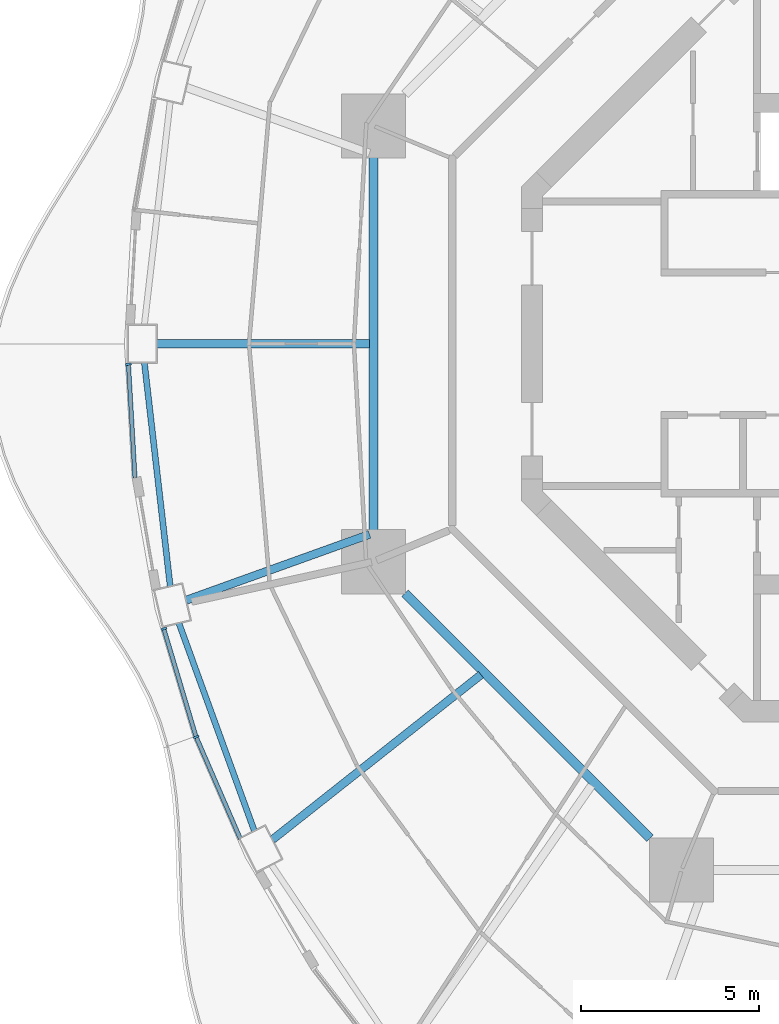
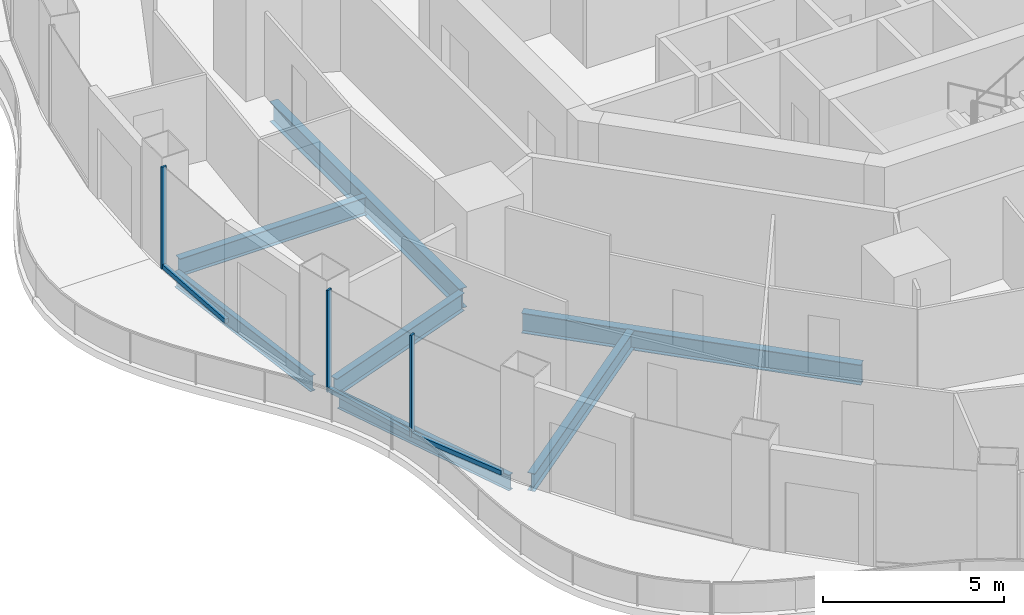
# One storey, part 3 of 19: 7 beams, 6 members, 3 elements without a shape of their own.
"""IFC4 building model written with IfcOpenShell, lengths in metres."""

from ifc_helpers import new_model, si_unit, direction, frame, origin, origin_2d, place, context, subcontext, project, spatial, rectangle, i_section, extrude, material, layer, layer_set, material_profile, profile_set, type_object, element, aggregate, save


model = new_model("IFC4")

# Units and contexts
model_context = context("Model", 3, precision=1e-05, world=origin(), true_north=direction((0.0, 1.0)))
body_context = subcontext(model_context, "Body", "Model", "MODEL_VIEW")
ifc_project = project(units=[si_unit("LENGTHUNIT", "METRE"), si_unit("AREAUNIT", "SQUARE_METRE"), si_unit("VOLUMEUNIT", "CUBIC_METRE"), si_unit("PLANEANGLEUNIT", "RADIAN"), si_unit("MASSUNIT", "GRAM", prefix="KILO")], contexts=[model_context])

# Site, building, storey
site_placement = place(None, origin())
site = spatial("IfcSite", under=ifc_project, at=site_placement, CompositionType="ELEMENT")
building_placement = place(site_placement, origin())
building = spatial("IfcBuilding", under=site, at=building_placement, Name="Nagisa Residences", CompositionType="ELEMENT")
storey_placement = place(building_placement, frame((0.0, 0.0, 195.5)))
storey = spatial("IfcBuildingStorey", under=building, at=storey_placement, Name="L49", CompositionType="ELEMENT", Elevation=195.5)

# Curtain wall, member
ifc_material_1 = material(Name="Concrete-coloured aluminium curtain wall system", Category="concrete")
ifc_layer = layer(ifc_material_1, 0.159912109375)
ifc_layer_set = layer_set([ifc_layer], Name="CW1 CURTAIN WALL")
curtain_wall_type = type_object("IfcCurtainWallType", Name="CW1 CURTAIN WALL", PredefinedType="NOTDEFINED", material=ifc_layer_set)
curtain_wall_1_placement = place(storey_placement, origin())
curtain_wall_1 = element("IfcCurtainWall", 1, at=curtain_wall_1_placement, inside=storey, type_object=curtain_wall_type, Name="cw:CW1:L49:24", PredefinedType="NOTDEFINED")
ifc_material_2 = material(Name="Concrete-coloured aluminium", Category="concrete")
ifc_material_profile_1 = material_profile(ifc_material_2, rectangle(XDim=0.159912109375, YDim=0.06005859375, at=origin_2d()), Name="CW1 MULLION 160x60")
ifc_profile_set_1 = profile_set([ifc_material_profile_1], Name="Concrete-coloured aluminium")
member_type_1 = type_object("IfcMemberType", Name="CW1 MULLION 160x60", PredefinedType="MULLION", material=ifc_profile_set_1)
member_1_placement = place(storey_placement, frame((-21.661865234375, -0.574462890625, 0.0), z_axis=(0.0, 0.0, 1.0), x_axis=(0.998345305184, 0.057503492216, 0.0)))
member_1 = element("IfcMember", 2, at=member_1_placement, type_object=member_type_1, Name="CW1 mullion", PredefinedType="MULLION", context=body_context, shape_type="SweptSolid", body=[
    extrude(rectangle(XDim=0.159912109375, YDim=0.06005859375, at=origin_2d()), origin(), (0.0, 0.0, 1.0), 3.43994140625),
])

curtain_wall_2_placement = place(storey_placement, origin())
curtain_wall_2 = element("IfcCurtainWall", 3, at=curtain_wall_2_placement, inside=storey, type_object=curtain_wall_type, Name="cw:CW1:L49:26", PredefinedType="NOTDEFINED")
member_2_placement = place(storey_placement, frame((-20.66796875, -8.00634765625, 0.0), z_axis=(0.0, 0.0, 1.0), x_axis=(0.958271310082, 0.285860274038, 0.0)))
member_2 = element("IfcMember", 4, at=member_2_placement, type_object=member_type_1, Name="CW1 mullion", PredefinedType="MULLION", context=body_context, shape_type="SweptSolid", body=[
    extrude(rectangle(XDim=0.159912109375, YDim=0.06005859375, at=origin_2d()), origin(), (0.0, 0.0, 1.0), 3.43994140625),
])

curtain_wall_3_placement = place(storey_placement, origin())
curtain_wall_3 = element("IfcCurtainWall", 5, at=curtain_wall_3_placement, inside=storey, type_object=curtain_wall_type, Name="cw:CW1:L49:27", PredefinedType="NOTDEFINED")
member_3_placement = place(storey_placement, frame((-19.758056640625, -11.045654296875, 0.0), z_axis=(0.0, 0.0, 1.0), x_axis=(0.917543276295, 0.397635934147, 0.0)))
member_3 = element("IfcMember", 6, at=member_3_placement, type_object=member_type_1, Name="CW1 mullion", PredefinedType="MULLION", context=body_context, shape_type="SweptSolid", body=[
    extrude(rectangle(XDim=0.159912109375, YDim=0.06005859375, at=origin_2d()), origin(), (0.0, 0.0, 1.0), 3.43994140625),
])

# Member
ifc_material_3 = material(Name="Concrete-coloured aluminium", Category="concrete")
ifc_material_profile_2 = material_profile(ifc_material_3, rectangle(XDim=0.1201171875, YDim=0.14990234375, at=origin_2d()), Name="CW1 TRANSOM 120x150")
ifc_profile_set_2 = profile_set([ifc_material_profile_2], Name="Concrete-coloured aluminium")
member_type_2 = type_object("IfcMemberType", Name="CW1 TRANSOM 120x150", PredefinedType="USERDEFINED", material=ifc_profile_set_2)
member_4_placement = place(storey_placement, frame((-21.66357421875, -0.54443359375, 0.074951171875), z_axis=(0.057528345118, -0.998343873376, 0.0), x_axis=(0.998343873376, 0.057528345118, 0.0)))
member_4 = element("IfcMember", 7, at=member_4_placement, type_object=member_type_2, Name="CW1 transom", ObjectType="TRANSOM", PredefinedType="USERDEFINED", context=body_context, shape_type="SweptSolid", body=[
    extrude(rectangle(XDim=0.1201171875, YDim=0.14990234375, at=origin_2d()), origin(), (0.0, 0.0, 1.0), 3.225341796875),
])

aggregate(curtain_wall_1, [member_1, member_4])

member_5_placement = place(storey_placement, frame((-20.676513671875, -7.9775390625, 0.074951171875), z_axis=(0.28584838049, -0.958274857946, 0.0), x_axis=(0.958274857946, 0.28584838049, 0.0)))
member_5 = element("IfcMember", 8, at=member_5_placement, type_object=member_type_2, Name="CW1 transom", ObjectType="TRANSOM", PredefinedType="USERDEFINED", context=body_context, shape_type="SweptSolid", body=[
    extrude(rectangle(XDim=0.1201171875, YDim=0.14990234375, at=origin_2d()), origin(), (0.0, 0.0, 1.0), 3.182373046875),
])

aggregate(curtain_wall_2, [member_2, member_5])

member_6_placement = place(storey_placement, frame((-19.77001953125, -11.01806640625, 0.074951171875), z_axis=(0.397592173732, -0.917562239517, 0.0), x_axis=(0.917562239517, 0.397592173732, 0.0)))
member_6 = element("IfcMember", 9, at=member_6_placement, type_object=member_type_2, Name="CW1 transom", ObjectType="TRANSOM", PredefinedType="USERDEFINED", context=body_context, shape_type="SweptSolid", body=[
    extrude(rectangle(XDim=0.1201171875, YDim=0.14990234375, at=origin_2d()), origin(), (0.0, 0.0, 1.0), 3.14208984375),
])

aggregate(curtain_wall_3, [member_3, member_6])

# Beams
ifc_material_4 = material(Name="Steel ASTM A572 Gr 50", Category="steel")
ifc_material_profile_3 = material_profile(ifc_material_4, i_section(OverallWidth=0.25390625, OverallDepth=0.68408203125, WebThickness=0.012451171875, FlangeThickness=0.018798828125, at=origin_2d()), Name="W690x140")
ifc_profile_set_3 = profile_set([ifc_material_profile_3], Name="Steel ASTM A572 Gr 50")
beam_type_1 = type_object("IfcBeamType", Name="Inner ring beam W690x140", PredefinedType="BEAM", material=ifc_profile_set_3)
beam_1_placement = place(storey_placement, frame((-14.781982421875, 5.242919921875, -0.60205078125), z_axis=(0.0, -1.0, 0.0), x_axis=(1.0, 0.0, 0.0)))
element("IfcBeam", 10, at=beam_1_placement, inside=storey, type_object=beam_type_1, Name="beam:L49:ib4", PredefinedType="BEAM", context=body_context, shape_type="SweptSolid", body=[
    extrude(i_section(OverallWidth=0.25390625, OverallDepth=0.68408203125, WebThickness=0.012451171875, FlangeThickness=0.018798828125, at=origin_2d()), origin(), (0.0, 0.0, 1.0), 10.48583984375),
])
beam_2_placement = place(storey_placement, frame((-13.896240234375, -7.0087890625, -0.60205078125), z_axis=(0.707106781187, -0.707106781187, 0.0), x_axis=(0.707106781187, 0.707106781187, 0.0)))
element("IfcBeam", 11, at=beam_2_placement, inside=storey, type_object=beam_type_1, Name="beam:L49:ib5", PredefinedType="BEAM", context=body_context, shape_type="SweptSolid", body=[
    extrude(i_section(OverallWidth=0.25390625, OverallDepth=0.68408203125, WebThickness=0.012451171875, FlangeThickness=0.018798828125, at=origin_2d()), origin(), (0.0, 0.0, 1.0), 9.740234375),
])
ifc_material_5 = material(Name="Steel ASTM A572 Gr 50", Category="steel")
ifc_material_profile_4 = material_profile(ifc_material_5, i_section(OverallWidth=0.166015625, OverallDepth=0.534912109375, WebThickness=0.01025390625, FlangeThickness=0.0166015625, at=origin_2d()), Name="W530x85")
ifc_profile_set_4 = profile_set([ifc_material_profile_4], Name="Steel ASTM A572 Gr 50")
beam_type_2 = type_object("IfcBeamType", Name="Perimeter ring beam W530x85", PredefinedType="BEAM", material=ifc_profile_set_4)
beam_3_placement = place(storey_placement, frame((-21.2138671875, -0.530029296875, -0.527587890625), z_axis=(0.114670987431, -0.993403525583, 0.0), x_axis=(0.993403525583, 0.114670987431, 0.0)))
element("IfcBeam", 12, at=beam_3_placement, inside=storey, type_object=beam_type_2, Name="beam:L49:pb13", PredefinedType="BEAM", context=body_context, shape_type="SweptSolid", body=[
    extrude(i_section(OverallWidth=0.166015625, OverallDepth=0.534912109375, WebThickness=0.01025390625, FlangeThickness=0.0166015625, at=origin_2d()), origin(), (0.0, 0.0, 1.0), 6.325439453125),
])
beam_4_placement = place(storey_placement, frame((-20.2451171875, -7.845703125, -0.527587890625), z_axis=(0.341285525681, -0.939959674646, 0.0), x_axis=(0.939959674646, 0.341285525681, 0.0)))
element("IfcBeam", 13, at=beam_4_placement, inside=storey, type_object=beam_type_2, Name="beam:L49:pb14", PredefinedType="BEAM", context=body_context, shape_type="SweptSolid", body=[
    extrude(i_section(OverallWidth=0.166015625, OverallDepth=0.534912109375, WebThickness=0.01025390625, FlangeThickness=0.0166015625, at=origin_2d()), origin(), (0.0, 0.0, 1.0), 6.212890625),
])
ifc_material_6 = material(Name="Steel ASTM A572 Gr 50", Category="steel")
ifc_material_profile_5 = material_profile(ifc_material_6, i_section(OverallWidth=0.22802734375, OverallDepth=0.60302734375, WebThickness=0.010498046875, FlangeThickness=0.014892578125, at=origin_2d()), Name="W610x101")
ifc_profile_set_5 = profile_set([ifc_material_profile_5], Name="Steel ASTM A572 Gr 50")
beam_type_3 = type_object("IfcBeamType", Name="Radial beam W610x101", PredefinedType="BEAM", material=ifc_profile_set_5)
beam_5_placement = place(storey_placement, frame((-20.8701171875, 0.0, -0.5615234375), z_axis=(1.0, 0.0, 0.0), x_axis=(0.0, 1.0, 0.0)))
element("IfcBeam", 14, at=beam_5_placement, inside=storey, type_object=beam_type_3, Name="beam:L49:rb13", PredefinedType="BEAM", context=body_context, shape_type="SweptSolid", body=[
    extrude(i_section(OverallWidth=0.22802734375, OverallDepth=0.60302734375, WebThickness=0.010498046875, FlangeThickness=0.014892578125, at=origin_2d()), origin(), (0.0, 0.0, 1.0), 5.98095703125),
])
beam_6_placement = place(storey_placement, frame((-20.043701171875, -7.2060546875, -0.5615234375), z_axis=(0.941032808963, 0.338315315137, 0.0), x_axis=(-0.338315315137, 0.941032808963, 0.0)))
element("IfcBeam", 15, at=beam_6_placement, inside=storey, type_object=beam_type_3, Name="beam:L49:rb14", PredefinedType="BEAM", context=body_context, shape_type="SweptSolid", body=[
    extrude(i_section(OverallWidth=0.22802734375, OverallDepth=0.60302734375, WebThickness=0.010498046875, FlangeThickness=0.014892578125, at=origin_2d()), origin(), (0.0, 0.0, 1.0), 5.4765625),
])
beam_7_placement = place(storey_placement, frame((-17.617919921875, -13.930908203125, -0.5615234375), z_axis=(0.784411523752, 0.620240728593, 0.0), x_axis=(-0.620240728593, 0.784411523752, 0.0)))
element("IfcBeam", 16, at=beam_7_placement, inside=storey, type_object=beam_type_3, Name="beam:L49:rb15", PredefinedType="BEAM", context=body_context, shape_type="SweptSolid", body=[
    extrude(i_section(OverallWidth=0.22802734375, OverallDepth=0.60302734375, WebThickness=0.010498046875, FlangeThickness=0.014892578125, at=origin_2d()), origin(), (0.0, 0.0, 1.0), 7.4697265625),
])

save(model, "model.ifc")
